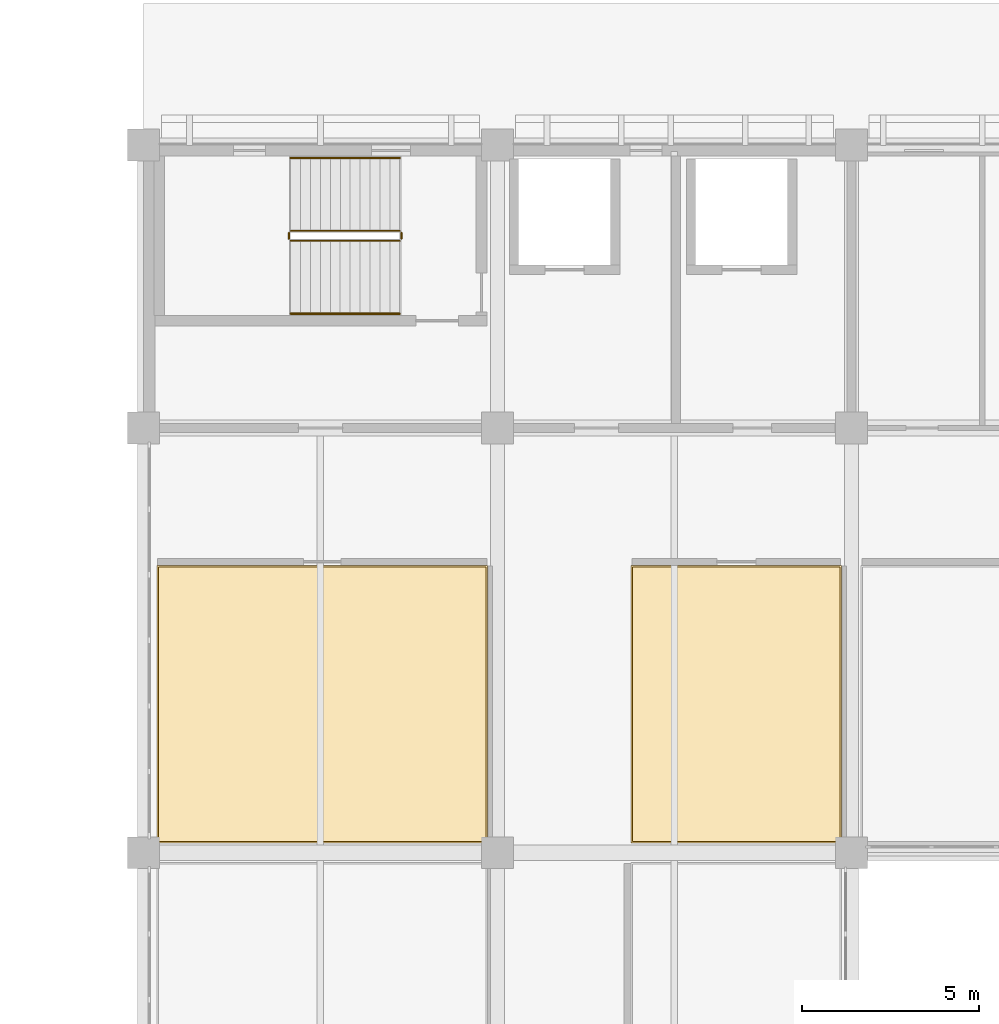
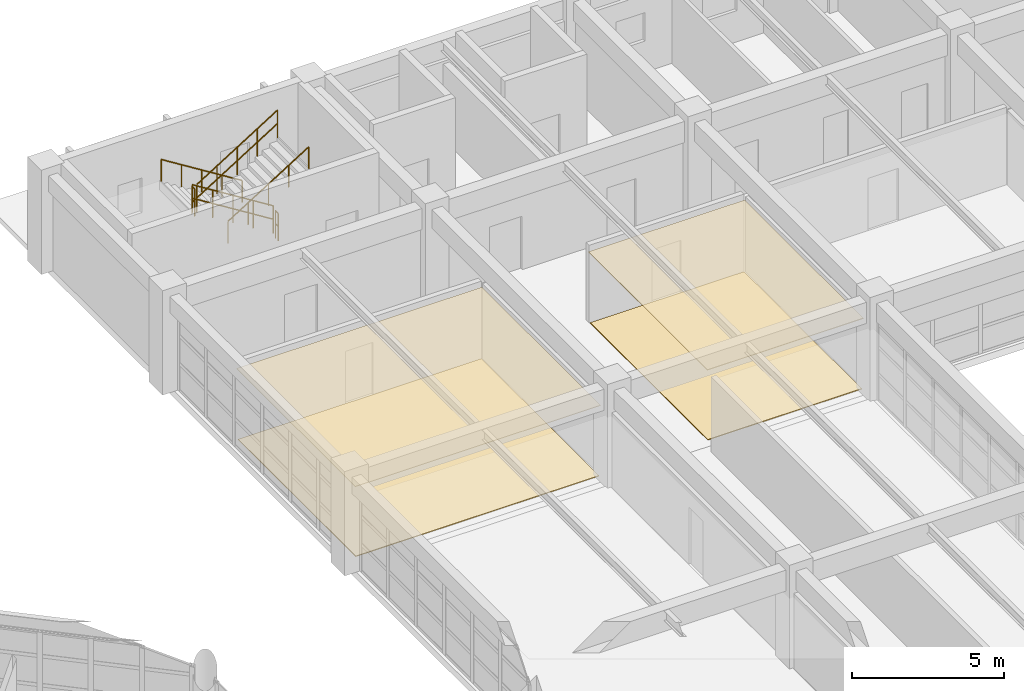
# One storey, part 95 of 100: 6 railings, 4 coverings.
"""IFC4 building model written with IfcOpenShell, lengths in metres."""

from ifc_helpers import new_model, si_unit, direction, frame, origin, origin_2d, place, context, subcontext, project, spatial, polyline, circle, outline, extrude, material, layer, layer_set, type_object, element, save


model = new_model("IFC4")

# Units and contexts
model_context = context("Model", 3, precision=1e-05, world=origin(), true_north=direction((0.0, 1.0)))
body_context = subcontext(model_context, "Body", "Model", "MODEL_VIEW")
ifc_project = project(units=[si_unit("LENGTHUNIT", "METRE"), si_unit("AREAUNIT", "SQUARE_METRE"), si_unit("VOLUMEUNIT", "CUBIC_METRE"), si_unit("PLANEANGLEUNIT", "RADIAN"), si_unit("MASSUNIT", "GRAM", prefix="KILO")], contexts=[model_context])

# Site, building, storey
site_placement = place(None, origin())
site = spatial("IfcSite", under=ifc_project, at=site_placement, CompositionType="ELEMENT")
building_placement = place(site_placement, origin())
building = spatial("IfcBuilding", under=site, at=building_placement, Name="Kivolera Central Railway Station", CompositionType="ELEMENT")
storey_placement = place(building_placement, frame((0.0, 0.0, 5.39990234375)))
storey = spatial("IfcBuildingStorey", under=building, at=storey_placement, Name="L01", CompositionType="ELEMENT", Elevation=5.39990234375)

# Coverings
ifc_material_1 = material(Name="Mineral fibre acoustic tile")
ifc_layer_1 = layer(ifc_material_1, 0.02001953125, Name="Mineral fibre acoustic tile")
ifc_layer_set_1 = layer_set([ifc_layer_1], Name="Mineral fibre acoustic tile")
covering_type_1 = type_object("IfcCoveringType", Name="COV-CEIL-20", PredefinedType="CEILING", material=ifc_layer_set_1)
covering_1_placement = place(storey_placement, frame((0.0, 0.0, 2.85009765625)))
element("IfcCovering", 1, at=covering_1_placement, inside=storey, type_object=covering_type_1, Name="L01 Mezzanine Travel Outfitters Retail Shop Acoustic Ceiling", PredefinedType="CEILING", context=body_context, shape_type="SweptSolid", body=[
    extrude(outline(polyline([(118.3798828125, 114.280029296875), (127.719970703125, 114.280029296875), (127.719970703125, 122.1201171875), (118.3798828125, 122.1201171875), (118.3798828125, 114.280029296875)])), origin(), (0.0, 0.0, 1.0), 0.02001953125),
])
ifc_material_2 = material(Name="Hardwood mvule timber", Category="wood")
ifc_layer_2 = layer(ifc_material_2, 0.02490234375, Name="Hardwood mvule timber")
ifc_layer_set_2 = layer_set([ifc_layer_2], Name="Hardwood mvule timber")
covering_type_2 = type_object("IfcCoveringType", Name="COV-CEIL-25", PredefinedType="CEILING", material=ifc_layer_set_2)
covering_2_placement = place(storey_placement, frame((0.0, 0.0, 2.85009765625)))
element("IfcCovering", 2, at=covering_2_placement, inside=storey, type_object=covering_type_2, Name="L01 Railway Souvenir Kiosk Shop Acoustic Ceiling", PredefinedType="CEILING", context=body_context, shape_type="SweptSolid", body=[
    extrude(outline(polyline([(131.780029296875, 114.280029296875), (137.719970703125, 114.280029296875), (137.719970703125, 122.1201171875), (131.780029296875, 122.1201171875), (131.780029296875, 114.280029296875)])), origin(), (0.0, 0.0, 1.0), 0.02490234375),
])
ifc_material_3 = material(Name="Swahili coral limestone", Category="masonry")
ifc_layer_3 = layer(ifc_material_3, 0.030029296875, Name="Swahili coral limestone")
ifc_layer_set_3 = layer_set([ifc_layer_3], Name="Swahili coral limestone")
covering_type_3 = type_object("IfcCoveringType", Name="COV-FLR-30", PredefinedType="FLOORING", material=ifc_layer_set_3)
covering_3_placement = place(storey_placement, origin())
element("IfcCovering", 3, at=covering_3_placement, inside=storey, type_object=covering_type_3, Name="L01 Mezzanine Travel Outfitters Retail Shop Floor Finish", PredefinedType="FLOORING", context=body_context, shape_type="SweptSolid", body=[
    extrude(outline(polyline([(118.419921875, 114.320068359375), (127.679931640625, 114.320068359375), (127.679931640625, 122.080078125), (118.419921875, 122.080078125), (118.419921875, 114.320068359375)])), origin(), (0.0, 0.0, 1.0), 0.030029296875),
])
covering_4_placement = place(storey_placement, origin())
element("IfcCovering", 4, at=covering_4_placement, inside=storey, type_object=covering_type_3, Name="L01 Railway Souvenir Kiosk Shop Floor Finish", PredefinedType="FLOORING", context=body_context, shape_type="SweptSolid", body=[
    extrude(outline(polyline([(131.820068359375, 114.320068359375), (137.679931640625, 114.320068359375), (137.679931640625, 122.080078125), (131.820068359375, 122.080078125), (131.820068359375, 114.320068359375)])), origin(), (0.0, 0.0, 1.0), 0.030029296875),
])

# Railings
ifc_material_4 = material(Name="Anodised aluminium", Category="aluminium")
ifc_layer_4 = layer(ifc_material_4, 0.048095703125, Name="Anodised aluminium")
ifc_layer_set_4 = layer_set([ifc_layer_4], Name="Anodised aluminium")
railing_type_1 = type_object("IfcRailingType", Name="RL-STAIR-GUARD", PredefinedType="GUARDRAIL", material=ifc_layer_set_4)
railing_1_placement = place(storey_placement, frame((125.239990234375, 131.570068359375, 0.175048828125)))
element("IfcRailing", 5, at=railing_1_placement, inside=storey, type_object=railing_type_1, Name="L01 ST1 stair guard 1", PredefinedType="GUARDRAIL", context=body_context, shape_type="SweptSolid", body=[
    extrude(circle(Radius=0.02392578125, at=origin_2d()), frame((0.0, 0.0, 1.10595703125), z_axis=(-0.847998304005, 0.0, 0.529998940003), x_axis=(0.0, -1.0, 0.0)), (0.0, 0.0, 1.0), 3.632080078125),
    extrude(circle(Radius=0.02392578125, at=origin_2d()), frame((0.0, 0.0, 0.56494140625), z_axis=(-0.847998304005, 0.0, 0.529998940003), x_axis=(0.0, -1.0, 0.0)), (0.0, 0.0, 1.0), 3.632080078125),
    extrude(circle(Radius=0.02099609375, at=origin_2d()), origin(), (0.0, 0.0, 1.0), 1.081787109375),
    extrude(circle(Radius=0.02099609375, at=origin_2d()), frame((-0.77001953125, 0.0, 0.481201171875)), (0.0, 0.0, 1.0), 1.081787109375),
    extrude(circle(Radius=0.02099609375, at=origin_2d()), frame((-1.5400390625, 0.0, 0.96240234375)), (0.0, 0.0, 1.0), 1.081787109375),
    extrude(circle(Radius=0.02099609375, at=origin_2d()), frame((-2.31005859375, 0.0, 1.44384765625)), (0.0, 0.0, 1.0), 1.081787109375),
    extrude(circle(Radius=0.02099609375, at=origin_2d()), frame((-3.080078125, 0.0, 1.925048828125)), (0.0, 0.0, 1.0), 1.081787109375),
])
railing_2_placement = place(storey_placement, frame((122.110107421875, 131.52001953125, 2.10009765625)))
element("IfcRailing", 6, at=railing_2_placement, inside=storey, type_object=railing_type_1, Name="L01 ST1 stair guard 2", PredefinedType="GUARDRAIL", context=body_context, shape_type="SweptSolid", body=[
    extrude(circle(Radius=0.02392578125, at=origin_2d()), frame((0.0, 0.0, 1.10595703125), z_axis=(0.0, -1.0, 0.0), x_axis=(1.0, 0.0, 0.0)), (0.0, 0.0, 1.0), 0.179931640625),
    extrude(circle(Radius=0.02392578125, at=origin_2d()), frame((0.0, 0.0, 0.56494140625), z_axis=(0.0, -1.0, 0.0), x_axis=(1.0, 0.0, 0.0)), (0.0, 0.0, 1.0), 0.179931640625),
    extrude(circle(Radius=0.02099609375, at=origin_2d()), origin(), (0.0, 0.0, 1.0), 1.081787109375),
    extrude(circle(Radius=0.02099609375, at=origin_2d()), frame((0.0, -0.179931640625, 0.0)), (0.0, 0.0, 1.0), 1.081787109375),
])
railing_3_placement = place(storey_placement, frame((122.159912109375, 131.2900390625, 2.275146484375)))
element("IfcRailing", 7, at=railing_3_placement, inside=storey, type_object=railing_type_1, Name="L01 ST1 stair guard 3", PredefinedType="GUARDRAIL", context=body_context, shape_type="SweptSolid", body=[
    extrude(circle(Radius=0.02392578125, at=origin_2d()), frame((0.0, 0.0, 1.10595703125), z_axis=(0.847998304005, 0.0, 0.529998940003), x_axis=(0.0, 1.0, 0.0)), (0.0, 0.0, 1.0), 3.632080078125),
    extrude(circle(Radius=0.02392578125, at=origin_2d()), frame((0.0, 0.0, 0.56494140625), z_axis=(0.847998304005, 0.0, 0.529998940003), x_axis=(0.0, 1.0, 0.0)), (0.0, 0.0, 1.0), 3.632080078125),
    extrude(circle(Radius=0.02099609375, at=origin_2d()), origin(), (0.0, 0.0, 1.0), 1.081787109375),
    extrude(circle(Radius=0.02099609375, at=origin_2d()), frame((0.77001953125, 0.0, 0.481201171875)), (0.0, 0.0, 1.0), 1.081787109375),
    extrude(circle(Radius=0.02099609375, at=origin_2d()), frame((1.5400390625, 0.0, 0.96240234375)), (0.0, 0.0, 1.0), 1.081787109375),
    extrude(circle(Radius=0.02099609375, at=origin_2d()), frame((2.31005859375, 0.0, 1.44384765625)), (0.0, 0.0, 1.0), 1.081787109375),
    extrude(circle(Radius=0.02099609375, at=origin_2d()), frame((3.080078125, 0.0, 1.925048828125)), (0.0, 0.0, 1.0), 1.081787109375),
])
railing_4_placement = place(storey_placement, frame((125.2900390625, 131.52001953125, 0.0)))
element("IfcRailing", 8, at=railing_4_placement, inside=storey, type_object=railing_type_1, Name="L01 ST1 stair guard 4", PredefinedType="GUARDRAIL", context=body_context, shape_type="SweptSolid", body=[
    extrude(circle(Radius=0.02392578125, at=origin_2d()), frame((0.0, 0.0, 1.10595703125), z_axis=(0.0, -1.0, 0.0), x_axis=(1.0, 0.0, 0.0)), (0.0, 0.0, 1.0), 0.179931640625),
    extrude(circle(Radius=0.02392578125, at=origin_2d()), frame((0.0, 0.0, 0.56494140625), z_axis=(0.0, -1.0, 0.0), x_axis=(1.0, 0.0, 0.0)), (0.0, 0.0, 1.0), 0.179931640625),
    extrude(circle(Radius=0.02099609375, at=origin_2d()), origin(), (0.0, 0.0, 1.0), 1.081787109375),
    extrude(circle(Radius=0.02099609375, at=origin_2d()), frame((0.0, -0.179931640625, 0.0)), (0.0, 0.0, 1.0), 1.081787109375),
])
ifc_layer_5 = layer(ifc_material_4, 0.048095703125, Name="Anodised aluminium")
ifc_layer_set_5 = layer_set([ifc_layer_5], Name="Anodised aluminium")
railing_type_2 = type_object("IfcRailingType", Name="RL-STAIR-HAND", PredefinedType="HANDRAIL", material=ifc_layer_set_5)
railing_5_placement = place(storey_placement, frame((125.239990234375, 133.6298828125, 0.175048828125)))
element("IfcRailing", 9, at=railing_5_placement, inside=storey, type_object=railing_type_2, Name="L01 ST1 stair handrail 1", PredefinedType="HANDRAIL", context=body_context, shape_type="SweptSolid", body=[
    extrude(circle(Radius=0.02392578125, at=origin_2d()), frame((0.0, 0.0, 0.8759765625), z_axis=(-0.847998304005, 0.0, 0.529998940003), x_axis=(0.0, -1.0, 0.0)), (0.0, 0.0, 1.0), 3.632080078125),
    extrude(circle(Radius=0.02099609375, at=origin_2d()), origin(), (0.0, 0.0, 1.0), 0.851806640625),
    extrude(circle(Radius=0.02099609375, at=origin_2d()), frame((-0.77001953125, 0.0, 0.481201171875)), (0.0, 0.0, 1.0), 0.851806640625),
    extrude(circle(Radius=0.02099609375, at=origin_2d()), frame((-1.5400390625, 0.0, 0.96240234375)), (0.0, 0.0, 1.0), 0.851806640625),
    extrude(circle(Radius=0.02099609375, at=origin_2d()), frame((-2.31005859375, 0.0, 1.44384765625)), (0.0, 0.0, 1.0), 0.851806640625),
    extrude(circle(Radius=0.02099609375, at=origin_2d()), frame((-3.080078125, 0.0, 1.925048828125)), (0.0, 0.0, 1.0), 0.851806640625),
])
railing_6_placement = place(storey_placement, frame((122.159912109375, 129.22998046875, 2.275146484375)))
element("IfcRailing", 10, at=railing_6_placement, inside=storey, type_object=railing_type_2, Name="L01 ST1 stair handrail 2", PredefinedType="HANDRAIL", context=body_context, shape_type="SweptSolid", body=[
    extrude(circle(Radius=0.02392578125, at=origin_2d()), frame((0.0, 0.0, 0.8759765625), z_axis=(0.847998304005, 0.0, 0.529998940003), x_axis=(0.0, 1.0, 0.0)), (0.0, 0.0, 1.0), 3.632080078125),
    extrude(circle(Radius=0.02099609375, at=origin_2d()), origin(), (0.0, 0.0, 1.0), 0.851806640625),
    extrude(circle(Radius=0.02099609375, at=origin_2d()), frame((0.77001953125, 0.0, 0.481201171875)), (0.0, 0.0, 1.0), 0.851806640625),
    extrude(circle(Radius=0.02099609375, at=origin_2d()), frame((1.5400390625, 0.0, 0.96240234375)), (0.0, 0.0, 1.0), 0.851806640625),
    extrude(circle(Radius=0.02099609375, at=origin_2d()), frame((2.31005859375, 0.0, 1.44384765625)), (0.0, 0.0, 1.0), 0.851806640625),
    extrude(circle(Radius=0.02099609375, at=origin_2d()), frame((3.080078125, 0.0, 1.925048828125)), (0.0, 0.0, 1.0), 0.851806640625),
])

save(model, "model.ifc")
